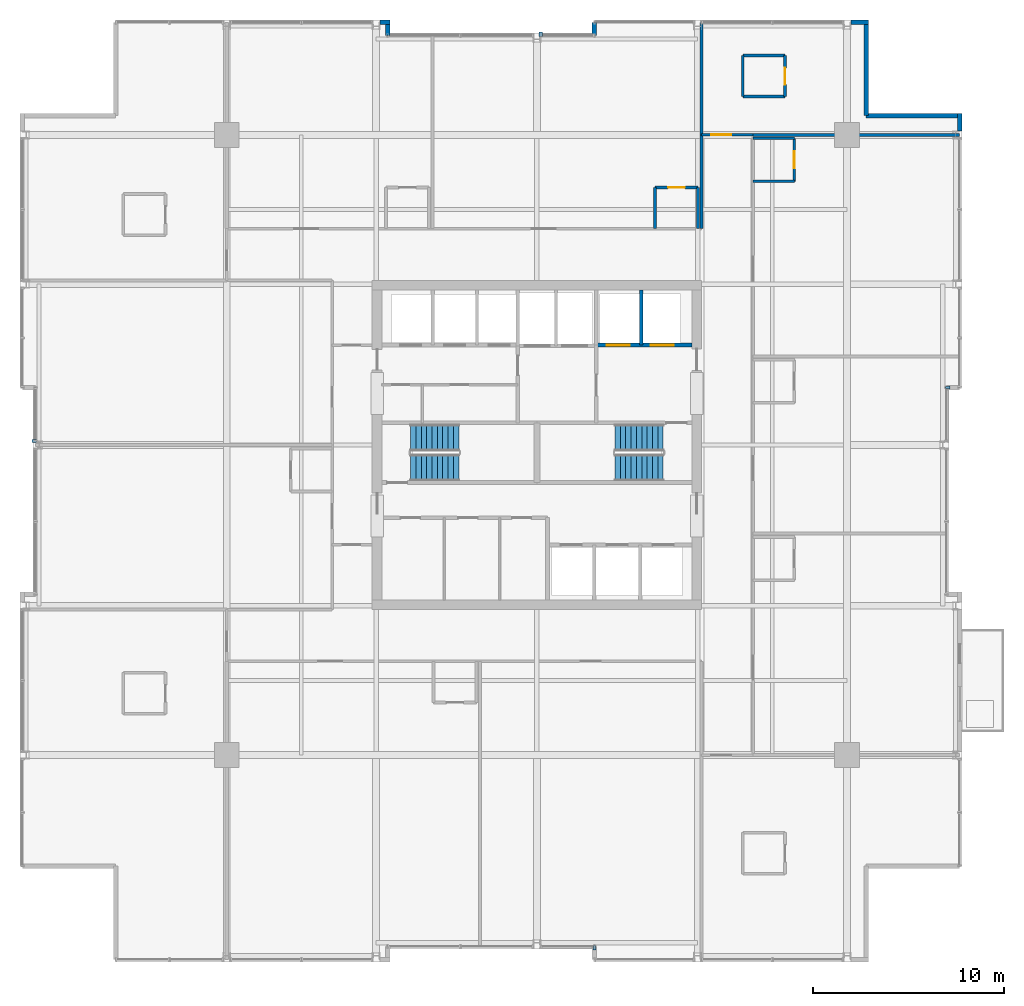
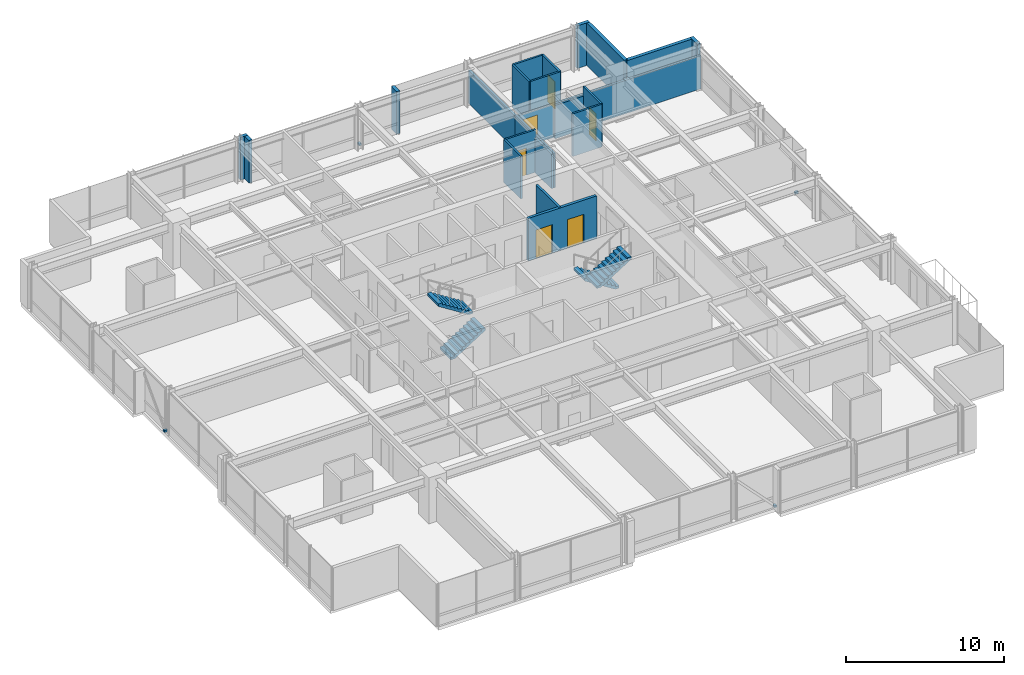
# One storey, part 30 of 33: 23 walls, 6 doors, 4 discrete accessories, 4 stair flights, 6 openings, 2 elements without a shape of their own.
"""IFC4 building model written with IfcOpenShell, lengths in metres."""

from ifc_helpers import new_model, si_unit, direction, frame, frame_2d, origin, origin_2d, place, context, subcontext, project, spatial, polyline, rectangle, outline, extrude, material, layer, layer_set, type_object, element, fill, aggregate, save


model = new_model("IFC4")

# Units and contexts
model_context = context("Model", 3, precision=1e-05, world=origin(), true_north=direction((0.0, 1.0)))
body_context = subcontext(model_context, "Body", "Model", "MODEL_VIEW")
ifc_project = project(units=[si_unit("LENGTHUNIT", "METRE"), si_unit("AREAUNIT", "SQUARE_METRE"), si_unit("VOLUMEUNIT", "CUBIC_METRE"), si_unit("PLANEANGLEUNIT", "RADIAN"), si_unit("MASSUNIT", "GRAM", prefix="KILO")], contexts=[model_context])

# Site, building, storey
site_placement = place(None, origin())
site = spatial("IfcSite", under=ifc_project, at=site_placement, CompositionType="ELEMENT")
building_placement = place(site_placement, origin())
building = spatial("IfcBuilding", under=site, at=building_placement, Name="Drelvath Grand Hotel", CompositionType="ELEMENT")
storey_placement = place(building_placement, frame((0.0, 0.0, 161.050048828125)))
storey = spatial("IfcBuildingStorey", under=building, at=storey_placement, Name="L41", CompositionType="ELEMENT", Elevation=161.050048828125)

# Wall, openings, doors
ifc_material_1 = material(Name="Concrete C40/50", Category="concrete")
ifc_layer_1 = layer(ifc_material_1, 0.199951171875)
ifc_layer_set_1 = layer_set([ifc_layer_1], Name="Concrete C40/50")
wall_type_1 = type_object("IfcWallType", Name="Core Hoistway Fire Wall 200", PredefinedType="SOLIDWALL", material=ifc_layer_set_1)
wall_1_placement = place(storey_placement, frame((3.10009765625, 32.219970703125, 0.0), z_axis=(0.0, 0.0, 1.0), x_axis=(1.0, 0.0, 0.0)))
wall_1 = element("IfcWall", 1, at=wall_1_placement, inside=storey, type_object=wall_type_1, Name="L41 FSAE Hoistway Front Wall", PredefinedType="SOLIDWALL", context=body_context, shape_type="SweptSolid", body=[
    extrude(rectangle(XDim=5.0, YDim=0.199951171875, at=frame_2d((2.5, 0.0))), origin(), (0.0, 0.0, 1.0), 3.2900390625),
])
opening_1_placement = place(wall_1_placement, frame((0.550048828125, 0.0, 0.0)))
opening_1 = element("IfcOpeningElement", 2, at=opening_1_placement, cuts=wall_1, Name="Opening LD-FSAE-1", PredefinedType="OPENING", context=body_context, shape_type="SweptSolid", body=[
    extrude(rectangle(XDim=1.199951171875, YDim=2.199951171875, at=frame_2d((0.60009765625, 1.10009765625))), frame((0.0, 0.10986328125, 0.0), z_axis=(0.0, -1.0, 0.0), x_axis=(1.0, 0.0, 0.0)), (0.0, 0.0, 1.0), 0.219970703125),
])
opening_2_placement = place(wall_1_placement, frame((2.85009765625, 0.0, 0.0)))
opening_2 = element("IfcOpeningElement", 3, at=opening_2_placement, cuts=wall_1, Name="Opening LD-FSAE-2", PredefinedType="OPENING", context=body_context, shape_type="SweptSolid", body=[
    extrude(rectangle(XDim=1.199951171875, YDim=2.199951171875, at=frame_2d((0.60009765625, 1.10009765625))), frame((0.0, 0.10986328125, 0.0), z_axis=(0.0, -1.0, 0.0), x_axis=(1.0, 0.0, 0.0)), (0.0, 0.0, 1.0), 0.219970703125),
])
ifc_material_2 = material(Name="Stainless Steel S355", Category="steel")
door_type_1 = type_object("IfcDoorType", Name="FSAE Lift Sliding Landing Door 1200x2200", OperationType="NOTDEFINED", PredefinedType="DOOR", material=ifc_material_2)
door_1_placement = place(opening_1_placement, origin())
door_1 = element("IfcDoor", 4, at=door_1_placement, inside=storey, type_object=door_type_1, Name="L41 Lift FSAE-1 Landing Door", OperationType="SLIDING_TO_LEFT", OverallHeight=2.199951171875, OverallWidth=1.199951171875, PredefinedType="DOOR", context=body_context, shape_type="SweptSolid", body=[
    extrude(rectangle(XDim=1.199951171875, YDim=2.199951171875, at=frame_2d((0.60009765625, 1.10009765625))), frame((0.0, 0.02490234375, 0.0), z_axis=(0.0, -1.0, 0.0), x_axis=(1.0, 0.0, 0.0)), (0.0, 0.0, 1.0), 0.050048828125),
])
fill(opening_1, door_1)
door_2_placement = place(opening_2_placement, origin())
door_2 = element("IfcDoor", 5, at=door_2_placement, inside=storey, type_object=door_type_1, Name="L41 Lift FSAE-2 Landing Door", OperationType="SLIDING_TO_LEFT", OverallHeight=2.199951171875, OverallWidth=1.199951171875, PredefinedType="DOOR", context=body_context, shape_type="SweptSolid", body=[
    extrude(rectangle(XDim=1.199951171875, YDim=2.199951171875, at=frame_2d((0.60009765625, 1.10009765625))), frame((0.0, 0.02490234375, 0.0), z_axis=(0.0, -1.0, 0.0), x_axis=(1.0, 0.0, 0.0)), (0.0, 0.0, 1.0), 0.050048828125),
])
fill(opening_2, door_2)

# Walls
ifc_material_3 = material(Name="Gypsum Fireboard Partition")
ifc_layer_2 = layer(ifc_material_3, 0.1650390625)
ifc_layer_set_2 = layer_set([ifc_layer_2], Name="Gypsum Fireboard Partition")
wall_type_2 = type_object("IfcWallType", Name="Core Shaft Partition 165", PredefinedType="PARTITIONING", material=ifc_layer_set_2)
wall_2_placement = place(storey_placement, frame((5.449951171875, 32.219970703125, 0.0), z_axis=(0.0, 0.0, 1.0), x_axis=(0.0, 1.0, 0.0)))
element("IfcWall", 6, at=wall_2_placement, inside=storey, type_object=wall_type_2, Name="L41 FSAE Hoistway Divider", PredefinedType="PARTITIONING", context=body_context, shape_type="SweptSolid", body=[
    extrude(rectangle(XDim=2.880126953125, YDim=0.1650390625, at=frame_2d((1.43994140625, 0.0))), origin(), (0.0, 0.0, 1.0), 3.2900390625),
])
ifc_layer_3 = layer(ifc_material_3, 0.135009765625)
ifc_layer_set_3 = layer_set([ifc_layer_3], Name="Gypsum Fireboard Partition")
wall_type_3 = type_object("IfcWallType", Name="Corridor Fire Barrier Wall 135", PredefinedType="PARTITIONING", material=ifc_layer_set_3)
wall_3_placement = place(storey_placement, frame((8.60009765625, 38.300048828125, 0.0), z_axis=(0.0, 0.0, 1.0), x_axis=(0.0, 1.0, 0.0)))
element("IfcWall", 7, at=wall_3_placement, inside=storey, type_object=wall_type_3, Name="L41 East Spine North Inner Wall", PredefinedType="PARTITIONING", context=body_context, shape_type="SweptSolid", body=[
    extrude(rectangle(XDim=4.89990234375, YDim=0.135009765625, at=frame_2d((2.449951171875, 0.0))), origin(), (0.0, 0.0, 1.0), 2.667236328125),
])

# Wall, opening, door
wall_4_placement = place(storey_placement, frame((8.60009765625, 43.199951171875, 0.0), z_axis=(0.0, 0.0, 1.0), x_axis=(1.0, 0.0, 0.0)))
wall_4 = element("IfcWall", 8, at=wall_4_placement, inside=storey, type_object=wall_type_3, Name="L41 East Spine North End", PredefinedType="PARTITIONING", context=body_context, shape_type="SweptSolid", body=[
    extrude(rectangle(XDim=2.699951171875, YDim=0.135009765625, at=frame_2d((1.35009765625, 0.0))), origin(), (0.0, 0.0, 1.0), 2.57958984375),
])
opening_3_placement = place(wall_4_placement, frame((0.52001953125, 0.0, 0.0)))
opening_3 = element("IfcOpeningElement", 9, at=opening_3_placement, cuts=wall_4, Name="Opening D-T3G2-033", PredefinedType="OPENING", context=body_context, shape_type="SweptSolid", body=[
    extrude(rectangle(XDim=1.02001953125, YDim=2.14990234375, at=frame_2d((0.510009765625, 1.074951171875))), frame((0.0, 0.077392578125, 0.0), z_axis=(0.0, -1.0, 0.0), x_axis=(1.0, 0.0, 0.0)), (0.0, 0.0, 1.0), 0.155029296875),
])
ifc_material_4 = material(Name="Hardwood Walnut Timber", Category="wood")
door_type_2 = type_object("IfcDoorType", Name="Amenity Meeting Fire Door 1020x2150", OperationType="NOTDEFINED", PredefinedType="DOOR", material=ifc_material_4)
door_3_placement = place(opening_3_placement, origin())
door_3 = element("IfcDoor", 10, at=door_3_placement, inside=storey, type_object=door_type_2, Name="L41 Executive Suite Entry Door", OperationType="SINGLE_SWING_LEFT", OverallHeight=2.14990234375, OverallWidth=1.02001953125, PredefinedType="DOOR", context=body_context, shape_type="SweptSolid", body=[
    extrude(rectangle(XDim=1.02001953125, YDim=2.14990234375, at=frame_2d((0.510009765625, 1.074951171875))), frame((0.0, 0.02490234375, 0.0), z_axis=(0.0, -1.0, 0.0), x_axis=(1.0, 0.0, 0.0)), (0.0, 0.0, 1.0), 0.050048828125),
])
fill(opening_3, door_3)

# Walls
ifc_material_5 = material(Name="Moisture-Resistant Gypsum Board")
ifc_layer_4 = layer(ifc_material_5, 0.139892578125)
ifc_layer_set_4 = layer_set([ifc_layer_4], Name="Moisture-Resistant Gypsum Board")
wall_type_4 = type_object("IfcWallType", Name="En-Suite Plumbing Wall 140", PredefinedType="PLUMBINGWALL", material=ifc_layer_set_4)
for number, where, z_axis, x_axis, name in (
    (11, (10.760009765625, 45.199951171875, 0.0), (0.0, 0.0, 1.0), (1.0, 0.0, 0.0), "L41 Corner En-Suite South"),
    (12, (10.760009765625, 47.35009765625, 0.0), (0.0, 0.0, 1.0), (1.0, 0.0, 0.0), "L41 Corner En-Suite North"),
):
    element("IfcWall", number, at=place(storey_placement, frame(where, z_axis=z_axis, x_axis=x_axis)), inside=storey, type_object=wall_type_4, Name=name, PredefinedType="PLUMBINGWALL", context=body_context, shape_type="SweptSolid", body=[
        extrude(rectangle(XDim=2.199951171875, YDim=0.139892578125, at=frame_2d((1.10009765625, 0.0))), origin(), (0.0, 0.0, 1.0), 3.2900390625),
    ])
wall_5_placement = place(storey_placement, frame((10.760009765625, 45.199951171875, 0.0), z_axis=(0.0, 0.0, 1.0), x_axis=(0.0, 1.0, 0.0)))
element("IfcWall", 13, at=wall_5_placement, inside=storey, type_object=wall_type_4, Name="L41 Corner En-Suite West", PredefinedType="PLUMBINGWALL", context=body_context, shape_type="SweptSolid", body=[
    extrude(rectangle(XDim=2.150146484375, YDim=0.139892578125, at=frame_2d((1.0751953125, 0.0))), origin(), (0.0, 0.0, 1.0), 3.2900390625),
])

# Wall, opening, door
wall_6_placement = place(storey_placement, frame((12.9599609375, 45.199951171875, 0.0), z_axis=(0.0, 0.0, 1.0), x_axis=(0.0, 1.0, 0.0)))
wall_6 = element("IfcWall", 14, at=wall_6_placement, inside=storey, type_object=wall_type_4, Name="L41 Corner En-Suite East", PredefinedType="PLUMBINGWALL", context=body_context, shape_type="SweptSolid", body=[
    extrude(rectangle(XDim=2.150146484375, YDim=0.139892578125, at=frame_2d((1.0751953125, 0.0))), origin(), (0.0, 0.0, 1.0), 3.2900390625),
])
opening_4_placement = place(wall_6_placement, frame((0.6201171875, 0.0, 0.0)))
opening_4 = element("IfcOpeningElement", 15, at=opening_4_placement, cuts=wall_6, Name="Opening D-T3G2-032", PredefinedType="OPENING", context=body_context, shape_type="SweptSolid", body=[
    extrude(rectangle(XDim=0.8798828125, YDim=2.10009765625, at=frame_2d((0.43994140625, 1.050048828125))), frame((0.0, 0.079833984375, 0.0), z_axis=(0.0, -1.0, 0.0), x_axis=(1.0, 0.0, 0.0)), (0.0, 0.0, 1.0), 0.159912109375),
])
door_type_3 = type_object("IfcDoorType", Name="En-Suite Bathroom Door 880x2100", OperationType="NOTDEFINED", PredefinedType="DOOR", material=ifc_material_4)
door_4_placement = place(opening_4_placement, origin())
door_4 = element("IfcDoor", 16, at=door_4_placement, inside=storey, type_object=door_type_3, Name="L41 Corner En-Suite Door", OperationType="SINGLE_SWING_RIGHT", OverallHeight=2.10009765625, OverallWidth=0.8798828125, PredefinedType="DOOR", context=body_context, shape_type="SweptSolid", body=[
    extrude(rectangle(XDim=0.8798828125, YDim=2.10009765625, at=frame_2d((0.43994140625, 1.050048828125))), frame((0.0, 0.02490234375, 0.0), z_axis=(0.0, -1.0, 0.0), x_axis=(1.0, 0.0, 0.0)), (0.0, 0.0, 1.0), 0.050048828125),
])
fill(opening_4, door_4)

# Walls
wall_7_placement = place(storey_placement, frame((6.169921875, 38.300048828125, 0.0), z_axis=(0.0, 0.0, 1.0), x_axis=(0.0, 1.0, 0.0)))
element("IfcWall", 17, at=wall_7_placement, inside=storey, type_object=wall_type_4, Name="L41 En-Suite Left Wall", PredefinedType="PLUMBINGWALL", context=body_context, shape_type="SweptSolid", body=[
    extrude(rectangle(XDim=2.14990234375, YDim=0.139892578125, at=frame_2d((1.074951171875, 0.0))), origin(), (0.0, 0.0, 1.0), 3.2900390625),
])
wall_8_placement = place(storey_placement, frame((8.419921875, 38.300048828125, 0.0), z_axis=(0.0, 0.0, 1.0), x_axis=(0.0, 1.0, 0.0)))
element("IfcWall", 18, at=wall_8_placement, inside=storey, type_object=wall_type_4, Name="L41 En-Suite Right Wall", PredefinedType="PLUMBINGWALL", context=body_context, shape_type="SweptSolid", body=[
    extrude(rectangle(XDim=2.14990234375, YDim=0.139892578125, at=frame_2d((1.074951171875, 0.0))), origin(), (0.0, 0.0, 1.0), 2.667236328125),
])

# Wall, opening, door
wall_9_placement = place(storey_placement, frame((6.169921875, 40.449951171875, 0.0), z_axis=(0.0, 0.0, 1.0), x_axis=(1.0, 0.0, 0.0)))
wall_9 = element("IfcWall", 19, at=wall_9_placement, inside=storey, type_object=wall_type_4, Name="L41 En-Suite Front Wall", PredefinedType="PLUMBINGWALL", context=body_context, shape_type="SweptSolid", body=[
    extrude(rectangle(XDim=2.25, YDim=0.139892578125, at=frame_2d((1.125, 0.0))), origin(), (0.0, 0.0, 1.0), 3.2900390625),
])
opening_5_placement = place(wall_9_placement, frame((0.68505859375, 0.0, 0.0)))
opening_5 = element("IfcOpeningElement", 20, at=opening_5_placement, cuts=wall_9, Name="Opening D-T3G2-039", PredefinedType="OPENING", context=body_context, shape_type="SweptSolid", body=[
    extrude(rectangle(XDim=0.8798828125, YDim=2.10009765625, at=frame_2d((0.43994140625, 1.050048828125))), frame((0.0, 0.079833984375, 0.0), z_axis=(0.0, -1.0, 0.0), x_axis=(1.0, 0.0, 0.0)), (0.0, 0.0, 1.0), 0.159912109375),
])
door_5_placement = place(opening_5_placement, origin())
door_5 = element("IfcDoor", 21, at=door_5_placement, inside=storey, type_object=door_type_3, Name="L41 En-Suite Bathroom Door", OperationType="SINGLE_SWING_LEFT", OverallHeight=2.10009765625, OverallWidth=0.8798828125, PredefinedType="DOOR", context=body_context, shape_type="SweptSolid", body=[
    extrude(rectangle(XDim=0.8798828125, YDim=2.10009765625, at=frame_2d((0.43994140625, 1.050048828125))), frame((0.0, 0.02490234375, 0.0), z_axis=(0.0, -1.0, 0.0), x_axis=(1.0, 0.0, 0.0)), (0.0, 0.0, 1.0), 0.050048828125),
])
fill(opening_5, door_5)

# Walls
wall_10_placement = place(storey_placement, frame((11.300048828125, 40.77001953125, 0.0), z_axis=(0.0, 0.0, 1.0), x_axis=(1.0, 0.0, 0.0)))
element("IfcWall", 22, at=wall_10_placement, inside=storey, type_object=wall_type_4, Name="L41 En-Suite Left Wall", PredefinedType="PLUMBINGWALL", context=body_context, shape_type="SweptSolid", body=[
    extrude(rectangle(XDim=2.14990234375, YDim=0.139892578125, at=frame_2d((1.074951171875, 0.0))), origin(), (0.0, 0.0, 1.0), 3.2900390625),
])
wall_11_placement = place(storey_placement, frame((11.300048828125, 43.02001953125, 0.0), z_axis=(0.0, 0.0, 1.0), x_axis=(1.0, 0.0, 0.0)))
element("IfcWall", 23, at=wall_11_placement, inside=storey, type_object=wall_type_4, Name="L41 En-Suite Right Wall", PredefinedType="PLUMBINGWALL", context=body_context, shape_type="SweptSolid", body=[
    extrude(rectangle(XDim=2.14990234375, YDim=0.139892578125, at=frame_2d((1.074951171875, 0.0))), origin(), (0.0, 0.0, 1.0), 2.57958984375),
])

# Wall, opening, door
wall_12_placement = place(storey_placement, frame((13.449951171875, 40.77001953125, 0.0), z_axis=(0.0, 0.0, 1.0), x_axis=(0.0, 1.0, 0.0)))
wall_12 = element("IfcWall", 24, at=wall_12_placement, inside=storey, type_object=wall_type_4, Name="L41 En-Suite Front Wall", PredefinedType="PLUMBINGWALL", context=body_context, shape_type="SweptSolid", body=[
    extrude(rectangle(XDim=2.25, YDim=0.139892578125, at=frame_2d((1.125, 0.0))), origin(), (0.0, 0.0, 1.0), 3.2900390625),
])
opening_6_placement = place(wall_12_placement, frame((0.68505859375, 0.0, 0.0)))
opening_6 = element("IfcOpeningElement", 25, at=opening_6_placement, cuts=wall_12, Name="Opening D-T3G2-045", PredefinedType="OPENING", context=body_context, shape_type="SweptSolid", body=[
    extrude(rectangle(XDim=0.8798828125, YDim=2.10009765625, at=frame_2d((0.43994140625, 1.050048828125))), frame((0.0, 0.079833984375, 0.0), z_axis=(0.0, -1.0, 0.0), x_axis=(1.0, 0.0, 0.0)), (0.0, 0.0, 1.0), 0.159912109375),
])
door_6_placement = place(opening_6_placement, origin())
door_6 = element("IfcDoor", 26, at=door_6_placement, inside=storey, type_object=door_type_3, Name="L41 En-Suite Bathroom Door", OperationType="SINGLE_SWING_LEFT", OverallHeight=2.10009765625, OverallWidth=0.8798828125, PredefinedType="DOOR", context=body_context, shape_type="SweptSolid", body=[
    extrude(rectangle(XDim=0.8798828125, YDim=2.10009765625, at=frame_2d((0.43994140625, 1.050048828125))), frame((0.0, 0.02490234375, 0.0), z_axis=(0.0, -1.0, 0.0), x_axis=(1.0, 0.0, 0.0)), (0.0, 0.0, 1.0), 0.050048828125),
])
fill(opening_6, door_6)

# Walls
ifc_material_6 = material(Name="Gypsum Acoustic Partition")
ifc_layer_5 = layer(ifc_material_6, 0.1650390625)
ifc_layer_set_5 = layer_set([ifc_layer_5], Name="Gypsum Acoustic Partition")
wall_type_5 = type_object("IfcWallType", Name="Suite Demising Wall 165", PredefinedType="PARTITIONING", material=ifc_layer_set_5)
wall_13_placement = place(storey_placement, frame((8.60009765625, 43.199951171875, 0.0), z_axis=(0.0, 0.0, 1.0), x_axis=(0.0, 1.0, 0.0)))
element("IfcWall", 27, at=wall_13_placement, inside=storey, type_object=wall_type_5, Name="L41 NE Suite West Wall", PredefinedType="PARTITIONING", context=body_context, shape_type="SweptSolid", body=[
    extrude(rectangle(XDim=5.880126953125, YDim=0.1650390625, at=frame_2d((2.93994140625, 0.0))), origin(), (0.0, 0.0, 1.0), 2.57958984375),
])
wall_14_placement = place(storey_placement, frame((11.300048828125, 43.199951171875, 0.0), z_axis=(0.0, 0.0, 1.0), x_axis=(1.0, 0.0, 0.0)))
element("IfcWall", 28, at=wall_14_placement, inside=storey, type_object=wall_type_5, Name="L41 NE Suite South Wall", PredefinedType="PARTITIONING", context=body_context, shape_type="SweptSolid", body=[
    extrude(rectangle(XDim=10.780029296875, YDim=0.1650390625, at=frame_2d((5.39013671875, 0.0))), origin(), (0.0, 0.0, 1.0), 2.57958984375),
])
ifc_material_7 = material(Name="Pale-Metal Insulated Aluminium Spandrel Assembly", Category="aluminium")
ifc_layer_6 = layer(ifc_material_7, 0.239990234375)
ifc_layer_set_6 = layer_set([ifc_layer_6], Name="Pale-Metal Insulated Aluminium Spandrel Assembly")
wall_type_6 = type_object("IfcWallType", Name="Tower Insulated Metal Spandrel Closure Wall 240", PredefinedType="STANDARD", material=ifc_layer_set_6)
wall_15_placement = place(storey_placement, frame((22.080078125, 44.320068359375, 0.0), z_axis=(0.0, 0.0, 1.0), x_axis=(0.0, -1.0, 0.0)))
element("IfcWall", 29, at=wall_15_placement, inside=storey, type_object=wall_type_6, Name="L41 Corner Pier Spandrel Wall EN3", PredefinedType="STANDARD", context=body_context, shape_type="SweptSolid", body=[
    extrude(rectangle(XDim=0.919921875, YDim=0.239990234375, at=frame_2d((0.4599609375, 0.0))), origin(), (0.0, 0.0, 1.0), 3.2900390625),
])
wall_16_placement = place(storey_placement, frame((-8.199951171875, 49.080078125, 0.0), z_axis=(0.0, 0.0, 1.0), x_axis=(1.0, 0.0, 0.0)))
element("IfcWall", 30, at=wall_16_placement, inside=storey, type_object=wall_type_6, Name="L41 Corner Pier Spandrel Wall NW3", PredefinedType="STANDARD", context=body_context, shape_type="SweptSolid", body=[
    extrude(rectangle(XDim=0.52001953125, YDim=0.239990234375, at=frame_2d((0.260009765625, 0.0))), origin(), (0.0, 0.0, 1.0), 3.2900390625),
])
wall_17_placement = place(storey_placement, frame((16.400146484375, 49.080078125, 0.0), z_axis=(0.0, 0.0, 1.0), x_axis=(1.0, 0.0, 0.0)))
element("IfcWall", 31, at=wall_17_placement, inside=storey, type_object=wall_type_6, Name="L41 Corner Pier Spandrel Wall NE3", PredefinedType="STANDARD", context=body_context, shape_type="SweptSolid", body=[
    extrude(rectangle(XDim=0.919921875, YDim=0.239990234375, at=frame_2d((0.4599609375, 0.0))), origin(), (0.0, 0.0, 1.0), 3.2900390625),
])
for number, where, z_axis, x_axis, name in (
    (32, (17.199951171875, 48.9599609375, 0.0), (0.0, 0.0, 1.0), (0.0, -1.0, 0.0), "L41 Notched Corner Return Spandrel Wall CNE1"),
    (33, (17.199951171875, 44.199951171875, 0.0), (0.0, 0.0, 1.0), (1.0, 0.0, 0.0), "L41 Notched Corner Return Spandrel Wall CNE2"),
):
    element("IfcWall", number, at=place(storey_placement, frame(where, z_axis=z_axis, x_axis=x_axis)), inside=storey, type_object=wall_type_6, Name=name, PredefinedType="STANDARD", context=body_context, shape_type="SweptSolid", body=[
        extrude(rectangle(XDim=4.760009765625, YDim=0.239990234375, at=frame_2d((2.3798828125, 0.0))), origin(), (0.0, 0.0, 1.0), 3.2900390625),
    ])
wall_18_placement = place(storey_placement, frame((-7.800048828125, 48.9599609375, 0.0), z_axis=(0.0, 0.0, 1.0), x_axis=(0.0, -1.0, 0.0)))
element("IfcWall", 34, at=wall_18_placement, inside=storey, type_object=wall_type_6, Name="L41 Notched Corner Return Spandrel Wall RN1", PredefinedType="STANDARD", context=body_context, shape_type="SweptSolid", body=[
    extrude(rectangle(XDim=0.56005859375, YDim=0.239990234375, at=frame_2d((0.280029296875, 0.0))), origin(), (0.0, 0.0, 1.0), 3.2900390625),
])
wall_19_placement = place(storey_placement, frame((3.0, 48.39990234375, 0.0), z_axis=(0.0, 0.0, 1.0), x_axis=(0.0, 1.0, 0.0)))
element("IfcWall", 35, at=wall_19_placement, inside=storey, type_object=wall_type_6, Name="L41 Notched Corner Return Spandrel Wall RN2", PredefinedType="STANDARD", context=body_context, shape_type="SweptSolid", body=[
    extrude(rectangle(XDim=0.68017578125, YDim=0.239990234375, at=frame_2d((0.340087890625, 0.0))), origin(), (0.0, 0.0, 1.0), 3.2900390625),
])

# Stair, stair flights
stair_type = type_object("IfcStairType", Name="Dogleg Exit Stair W1400-R177.5", PredefinedType="HALF_TURN_STAIR", material=ifc_material_1)
stair_1_placement = place(storey_placement, origin())
stair_1 = element("IfcStair", 36, at=stair_1_placement, inside=storey, type_object=stair_type, Name="L41 Core Exit Stair ST-1", PredefinedType="HALF_TURN_STAIR")
stair_flight_type = type_object("IfcStairFlightType", Name="Concrete Stair Flight W1400-R177.5", PredefinedType="STRAIGHT", material=ifc_material_1)
stair_flight_1_placement = place(storey_placement, frame((-6.60009765625, 25.820068359375, 0.0), z_axis=(0.0, 0.0, 1.0), x_axis=(1.0, 0.0, 0.0)))
stair_flight_1 = element("IfcStairFlight", 37, at=stair_flight_1_placement, type_object=stair_flight_type, Name="ST-1 flight 1", NumberOfRisers=10, NumberOfTreads=9, PredefinedType="STRAIGHT", RiserHeight=0.1775, TreadLength=0.28, context=body_context, shape_type="SweptSolid", body=[
    extrude(outline(polyline([(0.0, 0.0), (0.0, 0.177490234375), (0.280029296875, 0.177490234375), (0.280029296875, 0.35498046875), (0.56005859375, 0.35498046875), (0.56005859375, 0.532470703125), (0.840087890625, 0.532470703125), (0.840087890625, 0.7099609375), (1.1201171875, 0.7099609375), (1.1201171875, 0.887451171875), (1.39990234375, 0.887451171875), (1.39990234375, 1.06494140625), (1.679931640625, 1.06494140625), (1.679931640625, 1.242431640625), (1.9599609375, 1.242431640625), (1.9599609375, 1.419921875), (2.239990234375, 1.419921875), (2.239990234375, 1.597412109375), (2.52001953125, 1.597412109375), (2.52001953125, 1.77490234375), (2.52001953125, 1.408203125), (0.298583984375, 0.0), (0.0, 0.0)])), frame((0.0, 0.699951171875, 0.0), z_axis=(0.0, -1.0, 0.0), x_axis=(1.0, 0.0, 0.0)), (0.0, 0.0, 1.0), 1.39990234375),
])
stair_flight_2_placement = place(storey_placement, frame((-4.080078125, 27.3798828125, 1.77490234375), z_axis=(0.0, 0.0, 1.0), x_axis=(-1.0, 0.0, 0.0)))
stair_flight_2 = element("IfcStairFlight", 38, at=stair_flight_2_placement, type_object=stair_flight_type, Name="ST-1 flight 2", NumberOfRisers=10, NumberOfTreads=9, PredefinedType="STRAIGHT", RiserHeight=0.1775, TreadLength=0.28, context=body_context, shape_type="SweptSolid", body=[
    extrude(outline(polyline([(0.0, 0.0), (0.0, 0.177490234375), (0.280029296875, 0.177490234375), (0.280029296875, 0.35498046875), (0.56005859375, 0.35498046875), (0.56005859375, 0.532470703125), (0.840087890625, 0.532470703125), (0.840087890625, 0.7099609375), (1.1201171875, 0.7099609375), (1.1201171875, 0.887451171875), (1.39990234375, 0.887451171875), (1.39990234375, 1.06494140625), (1.679931640625, 1.06494140625), (1.679931640625, 1.242431640625), (1.9599609375, 1.242431640625), (1.9599609375, 1.419921875), (2.239990234375, 1.419921875), (2.239990234375, 1.597412109375), (2.52001953125, 1.597412109375), (2.52001953125, 1.77490234375), (2.52001953125, 1.408203125), (0.298583984375, 0.0), (0.0, 0.0)])), frame((0.0, 0.699951171875, 0.0), z_axis=(0.0, -1.0, 0.0), x_axis=(1.0, 0.0, 0.0)), (0.0, 0.0, 1.0), 1.39990234375),
])
aggregate(stair_1, [stair_flight_1, stair_flight_2])

stair_2_placement = place(storey_placement, origin())
stair_2 = element("IfcStair", 39, at=stair_2_placement, inside=storey, type_object=stair_type, Name="L41 Core Exit Stair ST-2", PredefinedType="HALF_TURN_STAIR")
stair_flight_3_placement = place(storey_placement, frame((6.60009765625, 27.3798828125, 0.0), z_axis=(0.0, 0.0, 1.0), x_axis=(-1.0, 0.0, 0.0)))
stair_flight_3 = element("IfcStairFlight", 40, at=stair_flight_3_placement, type_object=stair_flight_type, Name="ST-2 flight 1", NumberOfRisers=10, NumberOfTreads=9, PredefinedType="STRAIGHT", RiserHeight=0.1775, TreadLength=0.28, context=body_context, shape_type="SweptSolid", body=[
    extrude(outline(polyline([(0.0, 0.0), (0.0, 0.177490234375), (0.280029296875, 0.177490234375), (0.280029296875, 0.35498046875), (0.56005859375, 0.35498046875), (0.56005859375, 0.532470703125), (0.840087890625, 0.532470703125), (0.840087890625, 0.7099609375), (1.1201171875, 0.7099609375), (1.1201171875, 0.887451171875), (1.39990234375, 0.887451171875), (1.39990234375, 1.06494140625), (1.679931640625, 1.06494140625), (1.679931640625, 1.242431640625), (1.9599609375, 1.242431640625), (1.9599609375, 1.419921875), (2.239990234375, 1.419921875), (2.239990234375, 1.597412109375), (2.52001953125, 1.597412109375), (2.52001953125, 1.77490234375), (2.52001953125, 1.408203125), (0.298583984375, 0.0), (0.0, 0.0)])), frame((0.0, 0.699951171875, 0.0), z_axis=(0.0, -1.0, 0.0), x_axis=(1.0, 0.0, 0.0)), (0.0, 0.0, 1.0), 1.39990234375),
])
stair_flight_4_placement = place(storey_placement, frame((4.080078125, 25.820068359375, 1.77490234375), z_axis=(0.0, 0.0, 1.0), x_axis=(1.0, 0.0, 0.0)))
stair_flight_4 = element("IfcStairFlight", 41, at=stair_flight_4_placement, type_object=stair_flight_type, Name="ST-2 flight 2", NumberOfRisers=10, NumberOfTreads=9, PredefinedType="STRAIGHT", RiserHeight=0.1775, TreadLength=0.28, context=body_context, shape_type="SweptSolid", body=[
    extrude(outline(polyline([(0.0, 0.0), (0.0, 0.177490234375), (0.280029296875, 0.177490234375), (0.280029296875, 0.35498046875), (0.56005859375, 0.35498046875), (0.56005859375, 0.532470703125), (0.840087890625, 0.532470703125), (0.840087890625, 0.7099609375), (1.1201171875, 0.7099609375), (1.1201171875, 0.887451171875), (1.39990234375, 0.887451171875), (1.39990234375, 1.06494140625), (1.679931640625, 1.06494140625), (1.679931640625, 1.242431640625), (1.9599609375, 1.242431640625), (1.9599609375, 1.419921875), (2.239990234375, 1.419921875), (2.239990234375, 1.597412109375), (2.52001953125, 1.597412109375), (2.52001953125, 1.77490234375), (2.52001953125, 1.408203125), (0.298583984375, 0.0), (0.0, 0.0)])), frame((0.0, 0.699951171875, 0.0), z_axis=(0.0, -1.0, 0.0), x_axis=(1.0, 0.0, 0.0)), (0.0, 0.0, 1.0), 1.39990234375),
])
aggregate(stair_2, [stair_flight_3, stair_flight_4])

# Discrete accessories
ifc_material_8 = material(Name="Stainless Steel Grade 316", Category="steel")
discrete_accessory_type = type_object("IfcDiscreteAccessoryType", Name="Curtain Wall Fin Mounting Bracket Cleat", PredefinedType="BRACKET", material=ifc_material_8)
for number, where, z_axis, x_axis, name in (
    (42, (-26.260009765625, 27.2001953125, 0.10009765625), (0.0, 0.0, 1.0), (0.0, 1.0, 0.0), "L41 Fin Mounting Bracket CW04-L41-WM2-1"),
    (43, (21.4599609375, 30.0, 0.10009765625), (0.0, 0.0, 1.0), (0.0, -1.0, 0.0), "L41 Fin Mounting Bracket CW04-L41-EM2-1"),
    (44, (0.2001953125, 48.4599609375, 0.10009765625), (0.0, 0.0, 1.0), (1.0, 0.0, 0.0), "L41 Fin Mounting Bracket CW04-L41-NM2-1"),
    (45, (3.0, 0.739990234375, 0.10009765625), (0.0, 0.0, 1.0), (-1.0, 0.0, 0.0), "L41 Fin Mounting Bracket CW04-L41-SM2-1"),
):
    element("IfcDiscreteAccessory", number, at=place(storey_placement, frame(where, z_axis=z_axis, x_axis=x_axis)), inside=storey, type_object=discrete_accessory_type, Name=name, PredefinedType="BRACKET", context=body_context, shape_type="SweptSolid", body=[
        extrude(rectangle(XDim=0.159912109375, YDim=0.239990234375, at=origin_2d()), origin(), (0.0, 0.0, 1.0), 0.159912109375),
    ])

save(model, "model.ifc")
